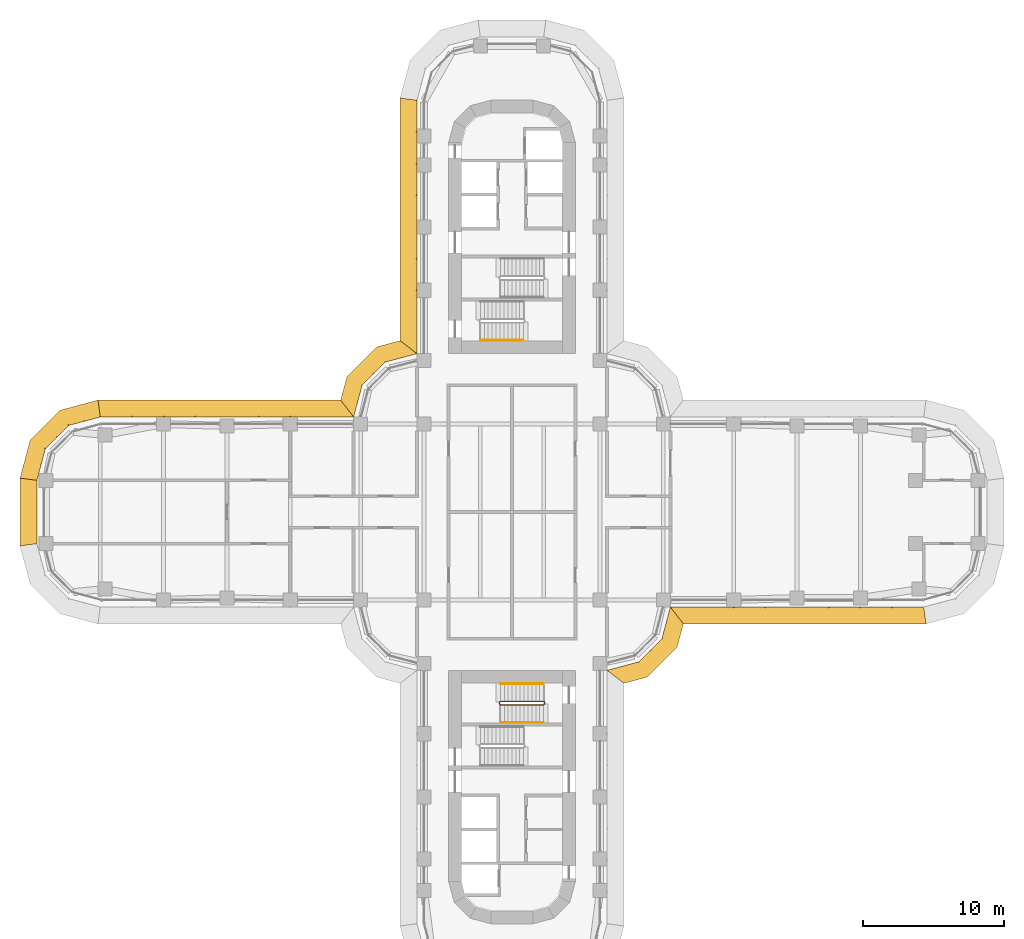
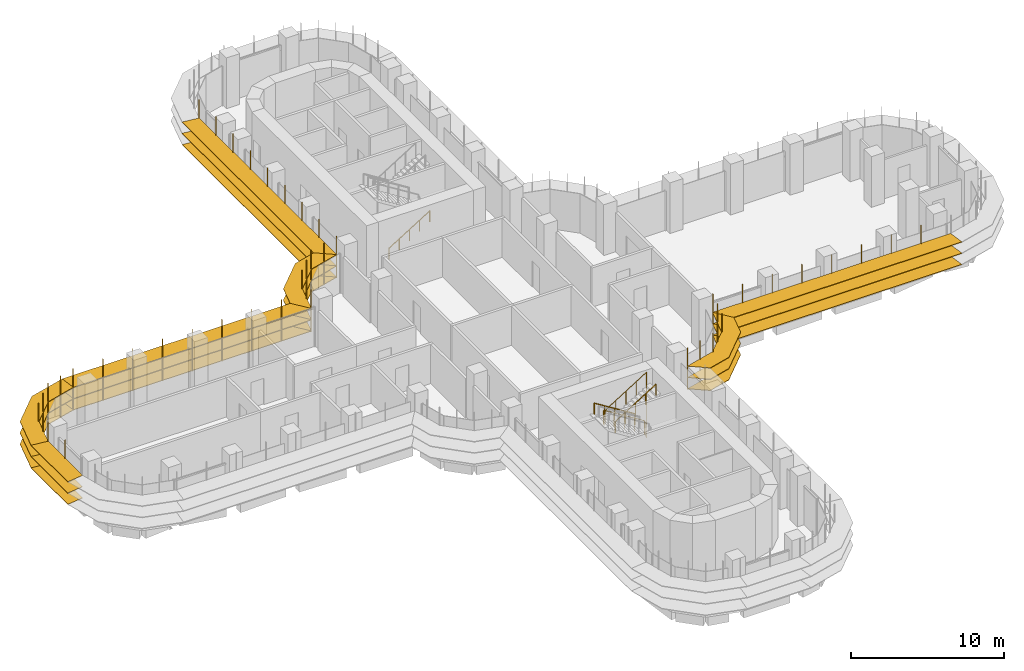
# One storey, part 21 of 23: 7 shading devices, 4 railings.
"""IFC4 building model written with IfcOpenShell, lengths in metres."""

import ifcopenshell
import ifcopenshell.guid

model = None  # the IFC model being written
_history = None  # IfcOwnerHistory: only IFC2X3 demands one
_inside = {}  # id of a spatial element -> (the spatial element, [elements in it])
_under = {}  # id of a project, library or spatial element -> (it, [spatial elements below it])
_declared = {}  # id of a project -> (the project, [libraries it declares])
_typed = {}  # id of a type object -> (the type object, [elements of that type])
_made_of = {}  # id of a material, layer set ... -> (it, [elements and type objects made of it])


def new_model(schema):
    """Start an empty IFC model of exactly this schema.

    Asked for "IFC4X3", IfcOpenShell would pick the latest addendum, in which some entities
    have other attributes; the version numbers below select the first issue.
    IFC2X3 requires an IfcOwnerHistory on every rooted entity: one is made here for all.
    """
    global model, _history
    if schema == "IFC4X3":
        model = ifcopenshell.file(schema_version=(4, 3, 0, 0))
    else:
        model = ifcopenshell.file(schema=schema)
    _inside.clear()
    _under.clear()
    _declared.clear()
    _typed.clear()
    _made_of.clear()
    _history = None
    if model.schema == "IFC2X3":
        org = make("IfcOrganization", Name="unknown")
        user = make(
            "IfcPersonAndOrganization",
            ThePerson=make("IfcPerson", FamilyName="unknown"),
            TheOrganization=org,
        )
        app = make(
            "IfcApplication",
            ApplicationDeveloper=org,
            Version="unknown",
            ApplicationFullName="unknown",
            ApplicationIdentifier="unknown",
        )
        _history = make(
            "IfcOwnerHistory",
            OwningUser=user,
            OwningApplication=app,
            ChangeAction="ADDED",
            CreationDate=0,
        )
    return model


def make(cls, **values):
    """One entity of the class cls with the attributes given. An attribute that is None is left unset."""
    return model.create_entity(
        cls, **{name: value for name, value in values.items() if value is not None}
    )


def rooted(cls, **values):
    """An entity with a GlobalId (a new one), such as an element, a storey or a relation."""
    return make(cls, GlobalId=ifcopenshell.guid.new(), OwnerHistory=_history, **values)


def si_unit(unit_type, name, prefix=None):
    """IfcSIUnit, for example si_unit("LENGTHUNIT", "METRE", prefix="MILLI")."""
    return make("IfcSIUnit", UnitType=unit_type, Prefix=prefix, Name=name)


def assignment(units):
    """IfcUnitAssignment: the units of a project."""
    return None if units is None else make("IfcUnitAssignment", Units=units)


def point(xyz):
    """IfcCartesianPoint."""
    return None if xyz is None else make("IfcCartesianPoint", Coordinates=xyz)


def direction(xyz):
    """IfcDirection."""
    return None if xyz is None else make("IfcDirection", DirectionRatios=xyz)


def frame(location, z_axis=None, x_axis=None):
    """IfcAxis2Placement3D, a coordinate frame: its origin and axes. An axis left out is left unset."""
    return make(
        "IfcAxis2Placement3D",
        Location=point(location),
        Axis=direction(z_axis),
        RefDirection=direction(x_axis),
    )


def frame_2d(location, x_axis=None):
    """IfcAxis2Placement2D, a coordinate frame in the plane: its origin and x axis."""
    return make(
        "IfcAxis2Placement2D", Location=point(location), RefDirection=direction(x_axis)
    )


def origin():
    """The frame at (0, 0, 0) with its axes left unset."""
    return frame((0.0, 0.0, 0.0))


def origin_2d():
    """The frame at (0, 0) in the plane with its x axis left unset."""
    return frame_2d((0.0, 0.0))


def place(relative_to, where):
    """IfcLocalPlacement: puts the frame where relative to a parent placement (None: the world)."""
    return make(
        "IfcLocalPlacement", PlacementRelTo=relative_to, RelativePlacement=where
    )


def context(
    kind, dimensions, precision=None, world=None, true_north=None, identifier=None
):
    """IfcGeometricRepresentationContext, for example the 3D "Model" context."""
    return make(
        "IfcGeometricRepresentationContext",
        ContextIdentifier=identifier,
        ContextType=kind,
        CoordinateSpaceDimension=dimensions,
        Precision=precision,
        WorldCoordinateSystem=world,
        TrueNorth=true_north,
    )


def subcontext(parent, identifier, kind, view, scale=None):
    """IfcGeometricRepresentationSubContext, for example "Body" below "Model"."""
    return make(
        "IfcGeometricRepresentationSubContext",
        ContextIdentifier=identifier,
        ContextType=kind,
        ParentContext=parent,
        TargetScale=scale,
        TargetView=view,
    )


def project(units=None, contexts=None):
    """IfcProject with its units and contexts."""
    return rooted(
        "IfcProject",
        Name="project",
        RepresentationContexts=contexts,
        UnitsInContext=assignment(units),
    )


def spatial(cls, under=None, at=None, **own):
    """A site, building, storey or space (cls), placed at a placement, below another one or the project."""
    s = rooted(cls, ObjectPlacement=at, **own)
    if under is not None:
        _under.setdefault(under.id(), (under, []))[1].append(s)
    return s


def polyline(points):
    """IfcPolyline through the points."""
    return make("IfcPolyline", Points=[point(p) for p in points])


def profile(cls, at=None, kind="AREA", **sizes):
    """A parametric profile (cls). Its sizes go by their IFC names, for example OverallWidth=200.0."""
    return make(cls, ProfileType=kind, Position=at, **sizes)


def circle(**sizes):
    """IfcCircleProfileDef."""
    return profile("IfcCircleProfileDef", **sizes)


def outline(outer, holes=None, kind="AREA"):
    """IfcArbitraryClosedProfileDef: a profile drawn as a closed curve; with holes, ...WithVoids."""
    if holes is None:
        return make("IfcArbitraryClosedProfileDef", ProfileType=kind, OuterCurve=outer)
    return make(
        "IfcArbitraryProfileDefWithVoids",
        ProfileType=kind,
        OuterCurve=outer,
        InnerCurves=holes,
    )


def extrude(swept, where, along, depth):
    """IfcExtrudedAreaSolid: the profile swept, set in the frame where, extruded along a direction by depth."""
    return make(
        "IfcExtrudedAreaSolid",
        SweptArea=swept,
        Position=where,
        ExtrudedDirection=direction(along),
        Depth=depth,
    )


def faces_of(points, faces, orient=None, outer=None):
    """IfcFace entities. A face is a list of loops; a loop is a list of indices into points, from 0.

    orient and outer hold one flag for each loop. By default every Orientation is true, the
    first loop of a face is its IfcFaceOuterBound and the others are IfcFaceBound.
    """
    made = []
    for i, loops in enumerate(faces):
        bounds = []
        for j, loop in enumerate(loops):
            is_outer = j == 0 if outer is None else outer[i][j]
            bounds.append(
                make(
                    "IfcFaceOuterBound" if is_outer else "IfcFaceBound",
                    Bound=make("IfcPolyLoop", Polygon=[points[k] for k in loop]),
                    Orientation=True if orient is None else orient[i][j],
                )
            )
        made.append(make("IfcFace", Bounds=bounds))
    return made


def faceted_brep(points, faces, orient=None, outer=None, voids=None):
    """IfcFacetedBrep: a solid bounded by flat faces; with voids (closed shells), ...WithVoids."""
    shared = [point(p) for p in points]
    hull = make("IfcClosedShell", CfsFaces=faces_of(shared, faces, orient, outer))
    if voids is None:
        return make("IfcFacetedBrep", Outer=hull)
    return make(
        "IfcFacetedBrepWithVoids",
        Outer=hull,
        Voids=[
            make(cls, CfsFaces=faces_of(shared, fs, o, b)) for cls, fs, o, b in voids
        ],
    )


def shape(context_of_items, identifier, shape_type, items):
    """IfcShapeRepresentation: the items that make up one representation, for example the "Body"."""
    return make(
        "IfcShapeRepresentation",
        ContextOfItems=context_of_items,
        RepresentationIdentifier=identifier,
        RepresentationType=shape_type,
        Items=items,
    )


def source(mapping_origin, context_of_items, identifier, shape_type, items):
    """IfcRepresentationMap: a shape defined once, which mapped items show again and again."""
    return make(
        "IfcRepresentationMap",
        MappingOrigin=mapping_origin,
        MappedRepresentation=shape(context_of_items, identifier, shape_type, items),
    )


def transform(
    local_origin,
    x_axis=None,
    y_axis=None,
    z_axis=None,
    scale=None,
    scale2=None,
    scale3=None,
    uniform=True,
):
    """IfcCartesianTransformationOperator3D, or its non-uniform kind. x_axis, y_axis, z_axis: its Axis1, 2, 3."""
    if uniform:
        return make(
            "IfcCartesianTransformationOperator3D",
            Axis1=direction(x_axis),
            Axis2=direction(y_axis),
            LocalOrigin=point(local_origin),
            Scale=scale,
            Axis3=direction(z_axis),
        )
    return make(
        "IfcCartesianTransformationOperator3DnonUniform",
        Axis1=direction(x_axis),
        Axis2=direction(y_axis),
        LocalOrigin=point(local_origin),
        Scale=scale,
        Axis3=direction(z_axis),
        Scale2=scale2,
        Scale3=scale3,
    )


def mapped(mapping_source, mapping_target):
    """IfcMappedItem: shows the shape of a source again, moved by a transform."""
    return make(
        "IfcMappedItem", MappingSource=mapping_source, MappingTarget=mapping_target
    )


def material(Name=None, Category=None):
    """IfcMaterial."""
    return make("IfcMaterial", Name=Name, Category=Category)


def made_of(thing, what):
    """Note that an element or type object is made of a material, layer set ...; save() writes the relation."""
    if what is not None:
        _made_of.setdefault(what.id(), (what, []))[1].append(thing)
    return thing


def type_object(cls, material=None, **own):
    """A type object (cls), such as IfcWallType, which elements share."""
    return made_of(rooted(cls, **own), material)


def element(
    cls,
    number,
    at=None,
    inside=None,
    cuts=None,
    type_object=None,
    material=None,
    context=None,
    identifier="Body",
    shape_type=None,
    held_by="IfcProductDefinitionShape",
    body=None,
    shapes=None,
    **own,
):
    """One element of the class cls, such as IfcWall. Its Tag is "e" and its number.

    at: its placement. inside: the storey or other place that contains it. cuts: it is an
    opening in that element (IfcRelVoidsElement). A single representation is given by context,
    identifier, shape_type and body (its items); several are given by shapes. held_by: the class
    of the entity that holds the representations. save() writes the other relations.
    """
    e = rooted(cls, Tag="e%d" % number, ObjectPlacement=at, **own)
    if body is not None:
        shapes = [shape(context, identifier, shape_type, body)]
    if shapes is not None:
        e.Representation = make(held_by, Representations=shapes)
    if inside is not None:
        _inside.setdefault(inside.id(), (inside, []))[1].append(e)
    if cuts is not None:
        rooted(
            "IfcRelVoidsElement", RelatingBuildingElement=cuts, RelatedOpeningElement=e
        )
    if type_object is not None:
        _typed.setdefault(type_object.id(), (type_object, []))[1].append(e)
    return made_of(e, material)


def aggregate(whole, parts):
    """IfcRelAggregates: a whole, such as a stair, and the parts it consists of."""
    return rooted("IfcRelAggregates", RelatingObject=whole, RelatedObjects=parts)


def save(model, path):
    """Write the relations noted so far, then the file.

    IfcRelAggregates (storeys below a building ...), IfcRelContainedInSpatialStructure (elements
    in a storey), IfcRelDefinesByType, IfcRelAssociatesMaterial and IfcRelDeclares: one each for
    every whole, place, type object, material and project.
    """
    for whole, parts in _under.values():
        aggregate(whole, parts)
    for where, things in _inside.values():
        rooted(
            "IfcRelContainedInSpatialStructure",
            RelatedElements=things,
            RelatingStructure=where,
        )
    for kind, things in _typed.values():
        rooted("IfcRelDefinesByType", RelatedObjects=things, RelatingType=kind)
    for what, things in _made_of.values():
        rooted("IfcRelAssociatesMaterial", RelatedObjects=things, RelatingMaterial=what)
    for by, libraries in _declared.values():
        rooted("IfcRelDeclares", RelatingContext=by, RelatedDefinitions=libraries)
    model.write(path)


model = new_model("IFC4")

# Units and contexts
model_context = context("Model", 3, precision=1e-05, world=origin(), true_north=direction((0.0, 1.0)))
body_context = subcontext(model_context, "Body", "Model", "MODEL_VIEW")
ifc_project = project(units=[si_unit("LENGTHUNIT", "METRE"), si_unit("AREAUNIT", "SQUARE_METRE"), si_unit("VOLUMEUNIT", "CUBIC_METRE"), si_unit("PLANEANGLEUNIT", "RADIAN"), si_unit("MASSUNIT", "GRAM", prefix="KILO")], contexts=[model_context])

# Site, building, storey
site_placement = place(None, origin())
site = spatial("IfcSite", under=ifc_project, at=site_placement, CompositionType="ELEMENT")
building_placement = place(site_placement, origin())
building = spatial("IfcBuilding", under=site, at=building_placement, Name="Zarbagh Exchange Tower", CompositionType="ELEMENT")
storey_placement = place(building_placement, frame((0.0, 0.0, 64.800048828125)))
storey = spatial("IfcBuildingStorey", under=building, at=storey_placement, Name="L14", CompositionType="ELEMENT", Elevation=64.800048828125)

# Railings
ifc_material_1 = material(Name="Stainless steel", Category="steel")
railing_type_1 = type_object("IfcRailingType", Name="Stair guard 1100 mm", PredefinedType="GUARDRAIL", material=ifc_material_1)
railing_1_placement = place(storey_placement, frame((-0.8798828125, -13.5, 2.099853515625)))
element("IfcRailing", 1, at=railing_1_placement, inside=storey, type_object=railing_type_1, Name="ST4 stair guard 1", PredefinedType="GUARDRAIL", context=body_context, shape_type="SweptSolid", body=[
    extrude(circle(Radius=0.02392578125, at=origin_2d()), frame((0.0, 0.0, 1.076171875), z_axis=(0.0, -1.0, 0.0), x_axis=(1.0, 0.0, 0.0)), (0.0, 0.0, 1.0), 0.14990234375),
    extrude(circle(Radius=0.02392578125, at=origin_2d()), frame((0.0, -0.14990234375, 1.076171875), z_axis=(0.263862480399, -0.265155923931, 0.927399011991), x_axis=(0.708833529934, 0.705375805398, 0.0)), (0.0, 0.0, 1.0), 0.188720703125),
    extrude(circle(Radius=0.02392578125, at=origin_2d()), frame((0.0498046875, -0.199951171875, 1.2509765625), z_axis=(0.847998304005, 0.0, 0.529998940003), x_axis=(0.0, 1.0, 0.0)), (0.0, 0.0, 1.0), 3.632080078125),
    extrude(circle(Radius=0.02392578125, at=origin_2d()), frame((3.1298828125, -0.199951171875, 3.17626953125), z_axis=(0.011914834358, 0.011914834358, -0.999858026644), x_axis=(-0.707106781187, 0.707106781187, 0.0)), (0.0, 0.0, 1.0), 4.200439453125),
    extrude(circle(Radius=0.02392578125, at=origin_2d()), frame((3.179931640625, -0.14990234375, -1.02392578125), z_axis=(0.0, 1.0, 0.0), x_axis=(-1.0, 0.0, 0.0)), (0.0, 0.0, 1.0), 0.14990234375),
    extrude(circle(Radius=0.02392578125, at=origin_2d()), frame((3.179931640625, 0.0, -1.02392578125), z_axis=(-0.265065253269, 0.265065253269, 0.927081885822), x_axis=(-0.707106781187, -0.707106781187, 0.0)), (0.0, 0.0, 1.0), 0.188720703125),
    extrude(circle(Radius=0.02392578125, at=origin_2d()), frame((3.1298828125, 0.050048828125, -0.8486328125), z_axis=(-0.848028513186, 0.0, 0.529950602248), x_axis=(0.0, -1.0, 0.0)), (0.0, 0.0, 1.0), 3.632080078125),
    extrude(circle(Radius=0.02099609375, at=origin_2d()), origin(), (0.0, 0.0, 1.0), 1.052001953125),
    extrude(circle(Radius=0.02099609375, at=origin_2d()), frame((0.0, -0.14990234375, 0.0)), (0.0, 0.0, 1.0), 1.052001953125),
    extrude(circle(Radius=0.02099609375, at=origin_2d()), frame((0.0498046875, -0.199951171875, 0.175048828125)), (0.0, 0.0, 1.0), 1.052001953125),
    extrude(circle(Radius=0.02099609375, at=origin_2d()), frame((0.81982421875, -0.199951171875, 0.65625)), (0.0, 0.0, 1.0), 1.052001953125),
    extrude(circle(Radius=0.02099609375, at=origin_2d()), frame((1.58984375, -0.199951171875, 1.1376953125)), (0.0, 0.0, 1.0), 1.052001953125),
    extrude(circle(Radius=0.02099609375, at=origin_2d()), frame((2.35986328125, -0.199951171875, 1.618896484375)), (0.0, 0.0, 1.0), 1.052001953125),
    extrude(circle(Radius=0.02099609375, at=origin_2d()), frame((3.1298828125, -0.199951171875, 2.10009765625)), (0.0, 0.0, 1.0), 1.052001953125),
    extrude(circle(Radius=0.02099609375, at=origin_2d()), frame((3.142333984375, -0.1875, 1.050048828125)), (0.0, 0.0, 1.0), 1.052001953125),
    extrude(circle(Radius=0.02099609375, at=origin_2d()), frame((3.15478515625, -0.1748046875, 0.0)), (0.0, 0.0, 1.0), 1.052001953125),
    extrude(circle(Radius=0.02099609375, at=origin_2d()), frame((3.16748046875, -0.162353515625, -1.0498046875)), (0.0, 0.0, 1.0), 1.052001953125),
    extrude(circle(Radius=0.02099609375, at=origin_2d()), frame((3.179931640625, -0.14990234375, -2.099853515625)), (0.0, 0.0, 1.0), 1.052001953125),
    extrude(circle(Radius=0.02099609375, at=origin_2d()), frame((3.179931640625, 0.0, -2.099853515625)), (0.0, 0.0, 1.0), 1.052001953125),
    extrude(circle(Radius=0.02099609375, at=origin_2d()), frame((3.1298828125, 0.050048828125, -1.9248046875)), (0.0, 0.0, 1.0), 1.052001953125),
    extrude(circle(Radius=0.02099609375, at=origin_2d()), frame((2.35986328125, 0.050048828125, -1.443603515625)), (0.0, 0.0, 1.0), 1.052001953125),
    extrude(circle(Radius=0.02099609375, at=origin_2d()), frame((1.58984375, 0.050048828125, -0.96240234375)), (0.0, 0.0, 1.0), 1.052001953125),
    extrude(circle(Radius=0.02099609375, at=origin_2d()), frame((0.81982421875, 0.050048828125, -0.481201171875)), (0.0, 0.0, 1.0), 1.052001953125),
    extrude(circle(Radius=0.02099609375, at=origin_2d()), frame((0.0498046875, 0.050048828125, 0.0)), (0.0, 0.0, 1.0), 1.052001953125),
])
railing_type_2 = type_object("IfcRailingType", Name="Stair handrail 900 mm", PredefinedType="HANDRAIL", material=ifc_material_1)
railing_2_placement = place(storey_placement, frame((-2.25, 12.199951171875, 0.175048828125)))
element("IfcRailing", 2, at=railing_2_placement, inside=storey, type_object=railing_type_2, Name="ST2 stair handrail 1", PredefinedType="HANDRAIL", context=body_context, shape_type="SweptSolid", body=[
    extrude(circle(Radius=0.02392578125, at=origin_2d()), frame((0.0, 0.0, 0.8759765625), z_axis=(0.848028513186, 0.0, 0.529950602248), x_axis=(0.0, 1.0, 0.0)), (0.0, 0.0, 1.0), 3.632080078125),
    extrude(circle(Radius=0.02099609375, at=origin_2d()), origin(), (0.0, 0.0, 1.0), 0.851806640625),
    extrude(circle(Radius=0.02099609375, at=origin_2d()), frame((0.77001953125, 0.0, 0.481201171875)), (0.0, 0.0, 1.0), 0.851806640625),
    extrude(circle(Radius=0.02099609375, at=origin_2d()), frame((1.5400390625, 0.0, 0.96240234375)), (0.0, 0.0, 1.0), 0.851806640625),
    extrude(circle(Radius=0.02099609375, at=origin_2d()), frame((2.31005859375, 0.0, 1.443603515625)), (0.0, 0.0, 1.0), 0.851806640625),
    extrude(circle(Radius=0.02099609375, at=origin_2d()), frame((3.080078125, 0.0, 1.9248046875)), (0.0, 0.0, 1.0), 0.851806640625),
])
railing_3_placement = place(storey_placement, frame((2.25, -12.199951171875, 0.175048828125)))
element("IfcRailing", 3, at=railing_3_placement, inside=storey, type_object=railing_type_2, Name="ST4 stair handrail 1", PredefinedType="HANDRAIL", context=body_context, shape_type="SweptSolid", body=[
    extrude(circle(Radius=0.02392578125, at=origin_2d()), frame((0.0, 0.0, 0.8759765625), z_axis=(-0.848028513186, 0.0, 0.529950602248), x_axis=(0.0, -1.0, 0.0)), (0.0, 0.0, 1.0), 3.632080078125),
    extrude(circle(Radius=0.02099609375, at=origin_2d()), origin(), (0.0, 0.0, 1.0), 0.851806640625),
    extrude(circle(Radius=0.02099609375, at=origin_2d()), frame((-0.77001953125, 0.0, 0.481201171875)), (0.0, 0.0, 1.0), 0.851806640625),
    extrude(circle(Radius=0.02099609375, at=origin_2d()), frame((-1.5400390625, 0.0, 0.96240234375)), (0.0, 0.0, 1.0), 0.851806640625),
    extrude(circle(Radius=0.02099609375, at=origin_2d()), frame((-2.31005859375, 0.0, 1.443603515625)), (0.0, 0.0, 1.0), 0.851806640625),
    extrude(circle(Radius=0.02099609375, at=origin_2d()), frame((-3.080078125, 0.0, 1.9248046875)), (0.0, 0.0, 1.0), 0.851806640625),
])
railing_4_placement = place(storey_placement, frame((-0.830078125, -14.949951171875, 2.27490234375)))
element("IfcRailing", 4, at=railing_4_placement, inside=storey, type_object=railing_type_2, Name="ST4 stair handrail 2", PredefinedType="HANDRAIL", context=body_context, shape_type="SweptSolid", body=[
    extrude(circle(Radius=0.02392578125, at=origin_2d()), frame((0.0, 0.0, 0.8759765625), z_axis=(0.847998304005, 0.0, 0.529998940003), x_axis=(0.0, 1.0, 0.0)), (0.0, 0.0, 1.0), 3.632080078125),
    extrude(circle(Radius=0.02099609375, at=origin_2d()), origin(), (0.0, 0.0, 1.0), 0.851806640625),
    extrude(circle(Radius=0.02099609375, at=origin_2d()), frame((0.77001953125, 0.0, 0.481201171875)), (0.0, 0.0, 1.0), 0.851806640625),
    extrude(circle(Radius=0.02099609375, at=origin_2d()), frame((1.5400390625, 0.0, 0.96240234375)), (0.0, 0.0, 1.0), 0.851806640625),
    extrude(circle(Radius=0.02099609375, at=origin_2d()), frame((2.31005859375, 0.0, 1.44384765625)), (0.0, 0.0, 1.0), 0.851806640625),
    extrude(circle(Radius=0.02099609375, at=origin_2d()), frame((3.080078125, 0.0, 1.925048828125)), (0.0, 0.0, 1.0), 0.851806640625),
])

# Shading devices
ifc_material_2 = material(Name="Anodised aluminium blades and brackets", Category="aluminium")
shading_device_type = type_object("IfcShadingDeviceType", Name="SUNSHADE louvre band, 0 degree blades", PredefinedType="JALOUSIE", material=ifc_material_2)
shared_shape_1 = source(origin(), body_context, "Body", "Brep", [
    faceted_brep([(0.0, 0.0, 0.0), (0.0, 0.0, -0.0400390625), (-0.157958984375, -1.199951171875, -0.0400390625), (-0.157958984375, -1.199951171875, 0.0), (2.65087890625, -1.199951171875, 0.0), (2.65087890625, -1.199951171875, -0.0400390625), (2.329345703125, 0.0, -0.0400390625), (2.329345703125, 0.0, 0.0)], [[[0, 1, 2, 3]], [[4, 5, 6, 7]], [[0, 7, 6, 1]], [[1, 6, 5, 2]], [[2, 5, 4, 3]], [[3, 4, 7, 0]]]),
])
shared_shape_2 = source(origin(), body_context, "Body", "Brep", [
    faceted_brep([(0.0, 0.0, 0.0), (0.0, 0.0, -0.0400390625), (-0.321533203125, -1.199951171875, -0.0400390625), (-0.321533203125, -1.199951171875, 0.0), (2.65087890625, -1.199951171875, 0.0), (2.65087890625, -1.199951171875, -0.0400390625), (2.329345703125, 0.0, -0.0400390625), (2.329345703125, 0.0, 0.0)], [[[0, 1, 2, 3]], [[4, 5, 6, 7]], [[0, 7, 6, 1]], [[1, 6, 5, 2]], [[2, 5, 4, 3]], [[3, 4, 7, 0]]]),
])
shared_shape_3 = source(origin(), body_context, "Body", "Brep", [
    faceted_brep([(0.0, 0.0, 0.0), (0.0, 0.0, -0.0400390625), (-0.321533203125, -1.199951171875, -0.0400390625), (-0.321533203125, -1.199951171875, 0.0), (2.4873046875, -1.199951171875, 0.0), (2.4873046875, -1.199951171875, -0.0400390625), (2.329345703125, 0.0, -0.0400390625), (2.329345703125, 0.0, 0.0)], [[[0, 1, 2, 3]], [[4, 5, 6, 7]], [[0, 7, 6, 1]], [[1, 6, 5, 2]], [[2, 5, 4, 3]], [[3, 4, 7, 0]]]),
])
shared_shape_4 = source(origin(), body_context, "Body", "SweptSolid", [
    extrude(outline(polyline([(0.0, -0.012451171875), (0.06005859375, -0.012451171875), (0.06005859375, 0.012451171875), (0.0, 0.012451171875), (0.0, -0.012451171875)])), origin(), (0.0, 0.0, 1.0), 3.35009765625),
])
placement = place(storey_placement, origin())
element("IfcShadingDevice", 5, at=placement, inside=storey, type_object=shading_device_type, Name="SS17 sunshade band", PredefinedType="JALOUSIE", context=body_context, shape_type="MappedRepresentation", body=[
    mapped(shared_shape_1, transform((-29.25, 6.75, 2.699951171875), x_axis=(-0.965924289636, -0.258824779902, 0.0), y_axis=(0.258824779902, -0.965924289636, 0.0), z_axis=(0.0, 0.0, 1.0))),
    mapped(shared_shape_1, transform((-29.25, 6.75, 1.800048828125), x_axis=(-0.965924289636, -0.258824779902, 0.0), y_axis=(0.258824779902, -0.965924289636, 0.0), z_axis=(0.0, 0.0, 1.0))),
    mapped(shared_shape_1, transform((-29.25, 6.75, 0.89990234375), x_axis=(-0.965924289636, -0.258824779902, 0.0), y_axis=(0.258824779902, -0.965924289636, 0.0), z_axis=(0.0, 0.0, 1.0))),
    mapped(shared_shape_2, transform((-31.5, 6.147216796875, 2.699951171875), x_axis=(-0.707106781187, -0.707106781187, 0.0), y_axis=(0.707106781187, -0.707106781187, 0.0), z_axis=(0.0, 0.0, 1.0))),
    mapped(shared_shape_2, transform((-31.5, 6.147216796875, 1.800048828125), x_axis=(-0.707106781187, -0.707106781187, 0.0), y_axis=(0.707106781187, -0.707106781187, 0.0), z_axis=(0.0, 0.0, 1.0))),
    mapped(shared_shape_2, transform((-31.5, 6.147216796875, 0.89990234375), x_axis=(-0.707106781187, -0.707106781187, 0.0), y_axis=(0.707106781187, -0.707106781187, 0.0), z_axis=(0.0, 0.0, 1.0))),
    mapped(shared_shape_3, transform((-33.147216796875, 4.5, 2.699951171875), x_axis=(-0.258824779902, -0.965924289636, 0.0), y_axis=(0.965924289636, -0.258824779902, 0.0), z_axis=(0.0, 0.0, 1.0))),
    mapped(shared_shape_3, transform((-33.147216796875, 4.5, 1.800048828125), x_axis=(-0.258824779902, -0.965924289636, 0.0), y_axis=(0.965924289636, -0.258824779902, 0.0), z_axis=(0.0, 0.0, 1.0))),
    mapped(shared_shape_3, transform((-33.147216796875, 4.5, 0.89990234375), x_axis=(-0.258824779902, -0.965924289636, 0.0), y_axis=(0.965924289636, -0.258824779902, 0.0), z_axis=(0.0, 0.0, 1.0))),
    mapped(shared_shape_4, transform((-29.25, 6.75, 0.829833984375), x_axis=(-0.130529263012, 0.991444457092, 0.0), y_axis=(-0.991444457092, -0.130529263012, 0.0), z_axis=(0.0, 0.0, 1.0))),
    mapped(shared_shape_4, transform((-30.375, 6.448486328125, 0.829833984375), x_axis=(-0.258825058029, 0.96592421511, 0.0), y_axis=(-0.96592421511, -0.258825058029, 0.0), z_axis=(0.0, 0.0, 1.0))),
    mapped(shared_shape_4, transform((-31.5, 6.147216796875, 0.829833984375), x_axis=(-0.50000275701, 0.866023812018, 0.0), y_axis=(-0.866023812018, -0.50000275701, 0.0), z_axis=(0.0, 0.0, 1.0))),
    mapped(shared_shape_4, transform((-32.323486328125, 5.323486328125, 0.829833984375), x_axis=(-0.707106781187, 0.707106781187, 0.0), y_axis=(-0.707106781187, -0.707106781187, 0.0), z_axis=(0.0, 0.0, 1.0))),
    mapped(shared_shape_4, transform((-33.147216796875, 4.5, 0.829833984375), x_axis=(-0.866023812018, 0.50000275701, 0.0), y_axis=(-0.50000275701, -0.866023812018, 0.0), z_axis=(0.0, 0.0, 1.0))),
    mapped(shared_shape_4, transform((-33.448486328125, 3.375, 0.829833984375), x_axis=(-0.96592421511, 0.258825058029, 0.0), y_axis=(-0.258825058029, -0.96592421511, 0.0), z_axis=(0.0, 0.0, 1.0))),
])
shared_shape_5 = source(origin(), body_context, "Body", "Brep", [
    faceted_brep([(0.0, 0.0, 0.0), (0.0, 0.0, -0.0400390625), (0.9208984375, -1.199951171875, -0.0400390625), (0.9208984375, -1.199951171875, 0.0), (2.65087890625, -1.199951171875, 0.0), (2.65087890625, -1.199951171875, -0.0400390625), (2.329345703125, 0.0, -0.0400390625), (2.329345703125, 0.0, 0.0)], [[[0, 1, 2, 3]], [[4, 5, 6, 7]], [[0, 7, 6, 1]], [[1, 6, 5, 2]], [[2, 5, 4, 3]], [[3, 4, 7, 0]]]),
])
shared_shape_6 = source(origin(), body_context, "Body", "Brep", [
    faceted_brep([(0.0, 0.0, 0.0), (0.0, 0.0, -0.0400390625), (-0.321533203125, -1.199951171875, -0.0400390625), (-0.321533203125, -1.199951171875, 0.0), (1.40869140625, -1.199951171875, 0.0), (1.40869140625, -1.199951171875, -0.0400390625), (2.329345703125, 0.0, -0.0400390625), (2.329345703125, 0.0, 0.0)], [[[0, 1, 2, 3]], [[4, 5, 6, 7]], [[0, 7, 6, 1]], [[1, 6, 5, 2]], [[2, 5, 4, 3]], [[3, 4, 7, 0]]]),
])
element("IfcShadingDevice", 6, at=placement, inside=storey, type_object=shading_device_type, Name="SS03 sunshade band", PredefinedType="JALOUSIE", context=body_context, shape_type="MappedRepresentation", body=[
    mapped(shared_shape_5, transform((6.75, -11.25, 2.699951171875), x_axis=(0.965924289636, 0.258824779902, 0.0), y_axis=(-0.258824779902, 0.965924289636, 0.0), z_axis=(0.0, 0.0, 1.0))),
    mapped(shared_shape_5, transform((6.75, -11.25, 1.800048828125), x_axis=(0.965924289636, 0.258824779902, 0.0), y_axis=(-0.258824779902, 0.965924289636, 0.0), z_axis=(0.0, 0.0, 1.0))),
    mapped(shared_shape_5, transform((6.75, -11.25, 0.89990234375), x_axis=(0.965924289636, 0.258824779902, 0.0), y_axis=(-0.258824779902, 0.965924289636, 0.0), z_axis=(0.0, 0.0, 1.0))),
    mapped(shared_shape_2, transform((9.0, -10.647216796875, 2.699951171875), x_axis=(0.707106781187, 0.707106781187, 0.0), y_axis=(-0.707106781187, 0.707106781187, 0.0), z_axis=(0.0, 0.0, 1.0))),
    mapped(shared_shape_2, transform((9.0, -10.647216796875, 1.800048828125), x_axis=(0.707106781187, 0.707106781187, 0.0), y_axis=(-0.707106781187, 0.707106781187, 0.0), z_axis=(0.0, 0.0, 1.0))),
    mapped(shared_shape_2, transform((9.0, -10.647216796875, 0.89990234375), x_axis=(0.707106781187, 0.707106781187, 0.0), y_axis=(-0.707106781187, 0.707106781187, 0.0), z_axis=(0.0, 0.0, 1.0))),
    mapped(shared_shape_6, transform((10.647216796875, -9.0, 2.699951171875), x_axis=(0.258824779902, 0.965924289636, 0.0), y_axis=(-0.965924289636, 0.258824779902, 0.0), z_axis=(0.0, 0.0, 1.0))),
    mapped(shared_shape_6, transform((10.647216796875, -9.0, 1.800048828125), x_axis=(0.258824779902, 0.965924289636, 0.0), y_axis=(-0.965924289636, 0.258824779902, 0.0), z_axis=(0.0, 0.0, 1.0))),
    mapped(shared_shape_6, transform((10.647216796875, -9.0, 0.89990234375), x_axis=(0.258824779902, 0.965924289636, 0.0), y_axis=(-0.965924289636, 0.258824779902, 0.0), z_axis=(0.0, 0.0, 1.0))),
    mapped(shared_shape_4, transform((6.75, -11.25, 0.829833984375), x_axis=(0.793355287, -0.608758892, 0.0), y_axis=(0.608758892, 0.793355287, 0.0), z_axis=(0.0, 0.0, 1.0))),
    mapped(shared_shape_4, transform((7.875, -10.948486328125, 0.829833984375), x_axis=(0.258825058029, -0.96592421511, 0.0), y_axis=(0.96592421511, 0.258825058029, 0.0), z_axis=(0.0, 0.0, 1.0))),
    mapped(shared_shape_4, transform((9.0, -10.647216796875, 0.829833984375), x_axis=(0.50000275701, -0.866023812018, 0.0), y_axis=(0.866023812018, 0.50000275701, 0.0), z_axis=(0.0, 0.0, 1.0))),
    mapped(shared_shape_4, transform((9.823486328125, -9.823486328125, 0.829833984375), x_axis=(0.707106781187, -0.707106781187, 0.0), y_axis=(0.707106781187, 0.707106781187, 0.0), z_axis=(0.0, 0.0, 1.0))),
    mapped(shared_shape_4, transform((10.647216796875, -9.0, 0.829833984375), x_axis=(0.866023812018, -0.50000275701, 0.0), y_axis=(0.50000275701, 0.866023812018, 0.0), z_axis=(0.0, 0.0, 1.0))),
    mapped(shared_shape_4, transform((10.948486328125, -7.875, 0.829833984375), x_axis=(0.96592421511, -0.258825058029, 0.0), y_axis=(0.258825058029, 0.96592421511, 0.0), z_axis=(0.0, 0.0, 1.0))),
])
element("IfcShadingDevice", 7, at=placement, inside=storey, type_object=shading_device_type, Name="SS15 sunshade band", PredefinedType="JALOUSIE", context=body_context, shape_type="MappedRepresentation", body=[
    mapped(shared_shape_5, transform((-6.75, 11.25, 2.699951171875), x_axis=(-0.965924289636, -0.258824779902, 0.0), y_axis=(0.258824779902, -0.965924289636, 0.0), z_axis=(0.0, 0.0, 1.0))),
    mapped(shared_shape_5, transform((-6.75, 11.25, 1.800048828125), x_axis=(-0.965924289636, -0.258824779902, 0.0), y_axis=(0.258824779902, -0.965924289636, 0.0), z_axis=(0.0, 0.0, 1.0))),
    mapped(shared_shape_5, transform((-6.75, 11.25, 0.89990234375), x_axis=(-0.965924289636, -0.258824779902, 0.0), y_axis=(0.258824779902, -0.965924289636, 0.0), z_axis=(0.0, 0.0, 1.0))),
    mapped(shared_shape_2, transform((-9.0, 10.647216796875, 2.699951171875), x_axis=(-0.707106781187, -0.707106781187, 0.0), y_axis=(0.707106781187, -0.707106781187, 0.0), z_axis=(0.0, 0.0, 1.0))),
    mapped(shared_shape_2, transform((-9.0, 10.647216796875, 1.800048828125), x_axis=(-0.707106781187, -0.707106781187, 0.0), y_axis=(0.707106781187, -0.707106781187, 0.0), z_axis=(0.0, 0.0, 1.0))),
    mapped(shared_shape_2, transform((-9.0, 10.647216796875, 0.89990234375), x_axis=(-0.707106781187, -0.707106781187, 0.0), y_axis=(0.707106781187, -0.707106781187, 0.0), z_axis=(0.0, 0.0, 1.0))),
    mapped(shared_shape_6, transform((-10.647216796875, 9.0, 2.699951171875), x_axis=(-0.258824779902, -0.965924289636, 0.0), y_axis=(0.965924289636, -0.258824779902, 0.0), z_axis=(0.0, 0.0, 1.0))),
    mapped(shared_shape_6, transform((-10.647216796875, 9.0, 1.800048828125), x_axis=(-0.258824779902, -0.965924289636, 0.0), y_axis=(0.965924289636, -0.258824779902, 0.0), z_axis=(0.0, 0.0, 1.0))),
    mapped(shared_shape_6, transform((-10.647216796875, 9.0, 0.89990234375), x_axis=(-0.258824779902, -0.965924289636, 0.0), y_axis=(0.965924289636, -0.258824779902, 0.0), z_axis=(0.0, 0.0, 1.0))),
    mapped(shared_shape_4, transform((-6.75, 11.25, 0.829833984375), x_axis=(-0.793355287, 0.608758892, 0.0), y_axis=(-0.608758892, -0.793355287, 0.0), z_axis=(0.0, 0.0, 1.0))),
    mapped(shared_shape_4, transform((-7.875, 10.948486328125, 0.829833984375), x_axis=(-0.258825058029, 0.96592421511, 0.0), y_axis=(-0.96592421511, -0.258825058029, 0.0), z_axis=(0.0, 0.0, 1.0))),
    mapped(shared_shape_4, transform((-9.0, 10.647216796875, 0.829833984375), x_axis=(-0.50000275701, 0.866023812018, 0.0), y_axis=(-0.866023812018, -0.50000275701, 0.0), z_axis=(0.0, 0.0, 1.0))),
    mapped(shared_shape_4, transform((-9.823486328125, 9.823486328125, 0.829833984375), x_axis=(-0.707106781187, 0.707106781187, 0.0), y_axis=(-0.707106781187, -0.707106781187, 0.0), z_axis=(0.0, 0.0, 1.0))),
    mapped(shared_shape_4, transform((-10.647216796875, 9.0, 0.829833984375), x_axis=(-0.866023812018, 0.50000275701, 0.0), y_axis=(-0.50000275701, -0.866023812018, 0.0), z_axis=(0.0, 0.0, 1.0))),
    mapped(shared_shape_4, transform((-10.948486328125, 7.875, 0.829833984375), x_axis=(-0.96592421511, 0.258825058029, 0.0), y_axis=(-0.258825058029, -0.96592421511, 0.0), z_axis=(0.0, 0.0, 1.0))),
])
shared_shape_7 = source(origin(), body_context, "Body", "Brep", [
    faceted_brep([(0.0, 0.0, 0.0), (0.0, 0.0, -0.0400390625), (0.9208984375, -1.199951171875, -0.0400390625), (0.9208984375, -1.199951171875, 0.0), (18.157958984375, -1.199951171875, 0.0), (18.157958984375, -1.199951171875, -0.0400390625), (18.0, 0.0, -0.0400390625), (18.0, 0.0, 0.0)], [[[0, 1, 2, 3]], [[4, 5, 6, 7]], [[0, 7, 6, 1]], [[1, 6, 5, 2]], [[2, 5, 4, 3]], [[3, 4, 7, 0]]]),
])
element("IfcShadingDevice", 8, at=placement, inside=storey, type_object=shading_device_type, Name="SS04 sunshade band", PredefinedType="JALOUSIE", context=body_context, shape_type="MappedRepresentation", body=[
    mapped(shared_shape_7, transform((11.25, -6.75, 2.699951171875), x_axis=(1.0, 0.0, 0.0), y_axis=(0.0, 1.0, 0.0), z_axis=(0.0, 0.0, 1.0))),
    mapped(shared_shape_7, transform((11.25, -6.75, 1.800048828125), x_axis=(1.0, 0.0, 0.0), y_axis=(0.0, 1.0, 0.0), z_axis=(0.0, 0.0, 1.0))),
    mapped(shared_shape_7, transform((11.25, -6.75, 0.89990234375), x_axis=(1.0, 0.0, 0.0), y_axis=(0.0, 1.0, 0.0), z_axis=(0.0, 0.0, 1.0))),
    mapped(shared_shape_4, transform((11.25, -6.75, 0.829833984375), x_axis=(0.608758892, -0.793355287, 0.0), y_axis=(0.793355287, 0.608758892, 0.0), z_axis=(0.0, 0.0, 1.0))),
    mapped(shared_shape_4, transform((13.5, -6.75, 0.829833984375), x_axis=(0.0, -1.0, 0.0), y_axis=(1.0, 0.0, 0.0), z_axis=(0.0, 0.0, 1.0))),
    mapped(shared_shape_4, transform((15.75, -6.75, 0.829833984375), x_axis=(0.0, -1.0, 0.0), y_axis=(1.0, 0.0, 0.0), z_axis=(0.0, 0.0, 1.0))),
    mapped(shared_shape_4, transform((18.0, -6.75, 0.829833984375), x_axis=(0.0, -1.0, 0.0), y_axis=(1.0, 0.0, 0.0), z_axis=(0.0, 0.0, 1.0))),
    mapped(shared_shape_4, transform((20.25, -6.75, 0.829833984375), x_axis=(0.0, -1.0, 0.0), y_axis=(1.0, 0.0, 0.0), z_axis=(0.0, 0.0, 1.0))),
    mapped(shared_shape_4, transform((22.5, -6.75, 0.829833984375), x_axis=(0.0, -1.0, 0.0), y_axis=(1.0, 0.0, 0.0), z_axis=(0.0, 0.0, 1.0))),
    mapped(shared_shape_4, transform((24.75, -6.75, 0.829833984375), x_axis=(0.0, -1.0, 0.0), y_axis=(1.0, 0.0, 0.0), z_axis=(0.0, 0.0, 1.0))),
    mapped(shared_shape_4, transform((27.0, -6.75, 0.829833984375), x_axis=(0.0, -1.0, 0.0), y_axis=(1.0, 0.0, 0.0), z_axis=(0.0, 0.0, 1.0))),
])
shared_shape_8 = source(origin(), body_context, "Body", "Brep", [
    faceted_brep([(0.0, 0.0, 0.0), (0.0, 0.0, -0.0400390625), (-0.157958984375, -1.199951171875, -0.0400390625), (-0.157958984375, -1.199951171875, 0.0), (17.0791015625, -1.199951171875, 0.0), (17.0791015625, -1.199951171875, -0.0400390625), (18.0, 0.0, -0.0400390625), (18.0, 0.0, 0.0)], [[[0, 1, 2, 3]], [[4, 5, 6, 7]], [[0, 7, 6, 1]], [[1, 6, 5, 2]], [[2, 5, 4, 3]], [[3, 4, 7, 0]]]),
])
element("IfcShadingDevice", 9, at=placement, inside=storey, type_object=shading_device_type, Name="SS14 sunshade band", PredefinedType="JALOUSIE", context=body_context, shape_type="MappedRepresentation", body=[
    mapped(shared_shape_8, transform((-6.75, 29.25, 2.699951171875), x_axis=(0.0, -1.0, 0.0), y_axis=(1.0, 0.0, 0.0), z_axis=(0.0, 0.0, 1.0))),
    mapped(shared_shape_8, transform((-6.75, 29.25, 1.800048828125), x_axis=(0.0, -1.0, 0.0), y_axis=(1.0, 0.0, 0.0), z_axis=(0.0, 0.0, 1.0))),
    mapped(shared_shape_8, transform((-6.75, 29.25, 0.89990234375), x_axis=(0.0, -1.0, 0.0), y_axis=(1.0, 0.0, 0.0), z_axis=(0.0, 0.0, 1.0))),
    mapped(shared_shape_4, transform((-6.75, 29.25, 0.829833984375), x_axis=(-0.991444457092, 0.130529263012, 0.0), y_axis=(-0.130529263012, -0.991444457092, 0.0), z_axis=(0.0, 0.0, 1.0))),
    mapped(shared_shape_4, transform((-6.75, 27.0, 0.829833984375), x_axis=(-1.0, 0.0, 0.0), y_axis=(0.0, -1.0, 0.0), z_axis=(0.0, 0.0, 1.0))),
    mapped(shared_shape_4, transform((-6.75, 24.75, 0.829833984375), x_axis=(-1.0, 0.0, 0.0), y_axis=(0.0, -1.0, 0.0), z_axis=(0.0, 0.0, 1.0))),
    mapped(shared_shape_4, transform((-6.75, 22.5, 0.829833984375), x_axis=(-1.0, 0.0, 0.0), y_axis=(0.0, -1.0, 0.0), z_axis=(0.0, 0.0, 1.0))),
    mapped(shared_shape_4, transform((-6.75, 20.25, 0.829833984375), x_axis=(-1.0, 0.0, 0.0), y_axis=(0.0, -1.0, 0.0), z_axis=(0.0, 0.0, 1.0))),
    mapped(shared_shape_4, transform((-6.75, 18.0, 0.829833984375), x_axis=(-1.0, 0.0, 0.0), y_axis=(0.0, -1.0, 0.0), z_axis=(0.0, 0.0, 1.0))),
    mapped(shared_shape_4, transform((-6.75, 15.75, 0.829833984375), x_axis=(-1.0, 0.0, 0.0), y_axis=(0.0, -1.0, 0.0), z_axis=(0.0, 0.0, 1.0))),
    mapped(shared_shape_4, transform((-6.75, 13.5, 0.829833984375), x_axis=(-1.0, 0.0, 0.0), y_axis=(0.0, -1.0, 0.0), z_axis=(0.0, 0.0, 1.0))),
])
element("IfcShadingDevice", 10, at=placement, inside=storey, type_object=shading_device_type, Name="SS16 sunshade band", PredefinedType="JALOUSIE", context=body_context, shape_type="MappedRepresentation", body=[
    mapped(shared_shape_7, transform((-11.25, 6.75, 2.699951171875), x_axis=(-1.0, 0.0, 0.0), y_axis=(0.0, -1.0, 0.0), z_axis=(0.0, 0.0, 1.0))),
    mapped(shared_shape_7, transform((-11.25, 6.75, 1.800048828125), x_axis=(-1.0, 0.0, 0.0), y_axis=(0.0, -1.0, 0.0), z_axis=(0.0, 0.0, 1.0))),
    mapped(shared_shape_7, transform((-11.25, 6.75, 0.89990234375), x_axis=(-1.0, 0.0, 0.0), y_axis=(0.0, -1.0, 0.0), z_axis=(0.0, 0.0, 1.0))),
    mapped(shared_shape_4, transform((-11.25, 6.75, 0.829833984375), x_axis=(-0.608758892, 0.793355287, 0.0), y_axis=(-0.793355287, -0.608758892, 0.0), z_axis=(0.0, 0.0, 1.0))),
    mapped(shared_shape_4, transform((-13.5, 6.75, 0.829833984375), x_axis=(0.0, 1.0, 0.0), y_axis=(-1.0, 0.0, 0.0), z_axis=(0.0, 0.0, 1.0))),
    mapped(shared_shape_4, transform((-15.75, 6.75, 0.829833984375), x_axis=(0.0, 1.0, 0.0), y_axis=(-1.0, 0.0, 0.0), z_axis=(0.0, 0.0, 1.0))),
    mapped(shared_shape_4, transform((-18.0, 6.75, 0.829833984375), x_axis=(0.0, 1.0, 0.0), y_axis=(-1.0, 0.0, 0.0), z_axis=(0.0, 0.0, 1.0))),
    mapped(shared_shape_4, transform((-20.25, 6.75, 0.829833984375), x_axis=(0.0, 1.0, 0.0), y_axis=(-1.0, 0.0, 0.0), z_axis=(0.0, 0.0, 1.0))),
    mapped(shared_shape_4, transform((-22.5, 6.75, 0.829833984375), x_axis=(0.0, 1.0, 0.0), y_axis=(-1.0, 0.0, 0.0), z_axis=(0.0, 0.0, 1.0))),
    mapped(shared_shape_4, transform((-24.75, 6.75, 0.829833984375), x_axis=(0.0, 1.0, 0.0), y_axis=(-1.0, 0.0, 0.0), z_axis=(0.0, 0.0, 1.0))),
    mapped(shared_shape_4, transform((-27.0, 6.75, 0.829833984375), x_axis=(0.0, 1.0, 0.0), y_axis=(-1.0, 0.0, 0.0), z_axis=(0.0, 0.0, 1.0))),
])
shared_shape_9 = source(origin(), body_context, "Body", "Brep", [
    faceted_brep([(0.0, 0.0, 0.0), (0.0, 0.0, -0.0400390625), (-0.157958984375, -1.199951171875, -0.0400390625), (-0.157958984375, -1.199951171875, 0.0), (4.657958984375, -1.199951171875, 0.0), (4.657958984375, -1.199951171875, -0.0400390625), (4.5, 0.0, -0.0400390625), (4.5, 0.0, 0.0)], [[[0, 1, 2, 3]], [[4, 5, 6, 7]], [[0, 7, 6, 1]], [[1, 6, 5, 2]], [[2, 5, 4, 3]], [[3, 4, 7, 0]]]),
])
element("IfcShadingDevice", 11, at=placement, inside=storey, type_object=shading_device_type, Name="SS18 sunshade band", PredefinedType="JALOUSIE", context=body_context, shape_type="MappedRepresentation", body=[
    mapped(shared_shape_9, transform((-33.75, 2.25, 2.699951171875), x_axis=(0.0, -1.0, 0.0), y_axis=(1.0, 0.0, 0.0), z_axis=(0.0, 0.0, 1.0))),
    mapped(shared_shape_9, transform((-33.75, 2.25, 1.800048828125), x_axis=(0.0, -1.0, 0.0), y_axis=(1.0, 0.0, 0.0), z_axis=(0.0, 0.0, 1.0))),
    mapped(shared_shape_9, transform((-33.75, 2.25, 0.89990234375), x_axis=(0.0, -1.0, 0.0), y_axis=(1.0, 0.0, 0.0), z_axis=(0.0, 0.0, 1.0))),
    mapped(shared_shape_4, transform((-33.75, 2.25, 0.829833984375), x_axis=(-0.991444457092, 0.130529263012, 0.0), y_axis=(-0.130529263012, -0.991444457092, 0.0), z_axis=(0.0, 0.0, 1.0))),
    mapped(shared_shape_4, transform((-33.75, 0.0, 0.829833984375), x_axis=(-1.0, 0.0, 0.0), y_axis=(0.0, -1.0, 0.0), z_axis=(0.0, 0.0, 1.0))),
])

save(model, "model.ifc")
